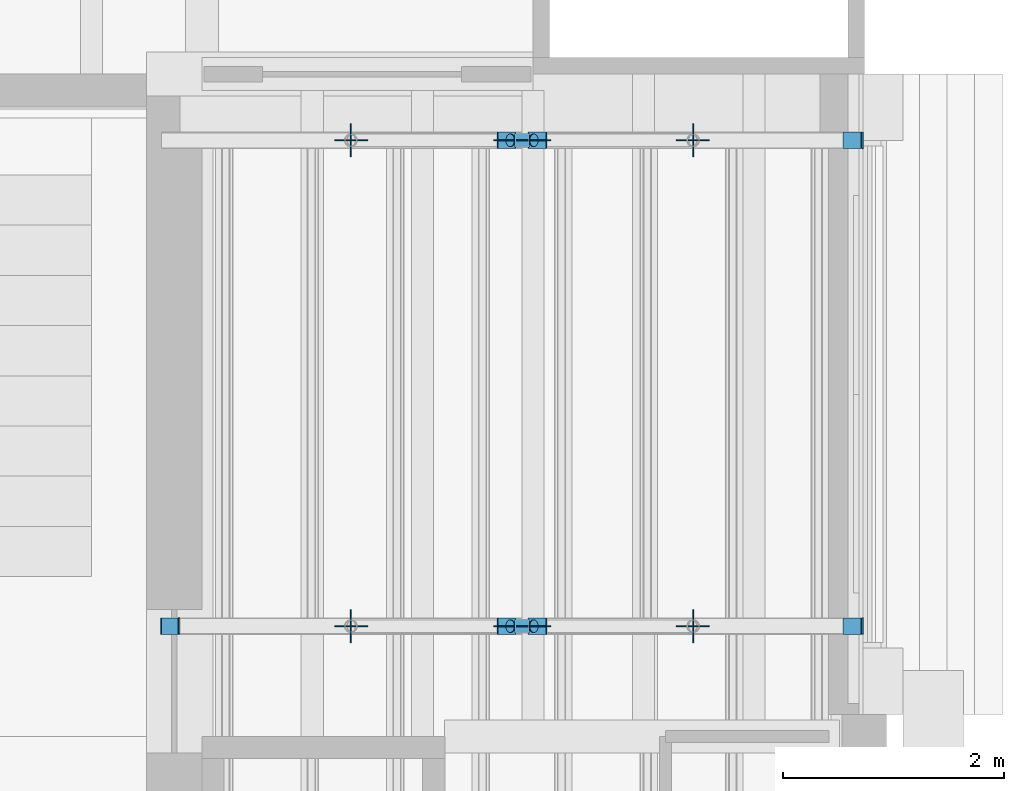
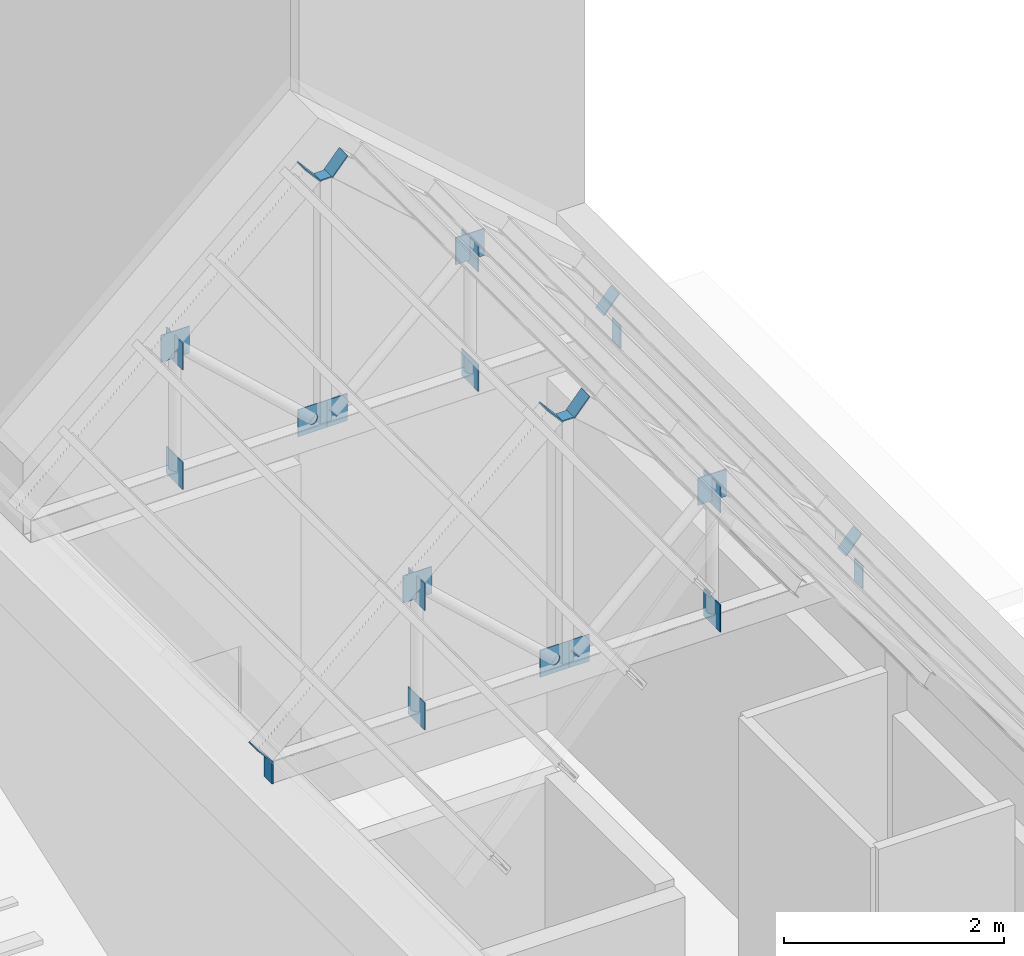
# One storey, part 106 of 118: 32 discrete accessories.
"""IFC4 building model written with IfcOpenShell, lengths in metres."""

from ifc_helpers import new_model, si_unit, direction, frame, origin, origin_2d, place, context, subcontext, project, spatial, rectangle, circle, extrude, material, material_profile, profile_set, type_object, element, save


model = new_model("IFC4")

# Units and contexts
model_context = context("Model", 3, precision=1e-05, world=origin(), true_north=direction((0.0, 1.0)))
body_context = subcontext(model_context, "Body", "Model", "MODEL_VIEW")
ifc_project = project(units=[si_unit("LENGTHUNIT", "METRE"), si_unit("AREAUNIT", "SQUARE_METRE"), si_unit("VOLUMEUNIT", "CUBIC_METRE"), si_unit("PLANEANGLEUNIT", "RADIAN"), si_unit("MASSUNIT", "GRAM", prefix="KILO")], contexts=[model_context])

# Site, building, storey
site_placement = place(None, origin())
site = spatial("IfcSite", under=ifc_project, at=site_placement, CompositionType="ELEMENT")
building_placement = place(site_placement, origin())
building = spatial("IfcBuilding", under=site, at=building_placement, Name="Saffron Lane Theatres", CompositionType="ELEMENT")
storey_placement = place(building_placement, frame((0.0, 0.0, 16.5)))
storey = spatial("IfcBuildingStorey", under=building, at=storey_placement, Name="L03", CompositionType="ELEMENT", Elevation=16.5)

# Discrete accessories
ifc_material_1 = material(Name="Steel Grade 350", Category="steel")
ifc_material_profile_1 = material_profile(ifc_material_1, rectangle(XDim=0.300048828125, YDim=0.300048828125, at=origin_2d()))
ifc_profile_set_1 = profile_set([ifc_material_profile_1], Name="Steel Grade 350")
discrete_accessory_type_1 = type_object("IfcDiscreteAccessoryType", Name="ST-GUSSET CONNECTION PLATE", PredefinedType="BRACKET", material=ifc_profile_set_1)
for number, where, z_axis, x_axis, name in (
    (1, (52.445068359375, 85.0, 4.75), (1.0, 0.0, 0.0), (0.0, 1.0, 0.0), "GB313"),
    (2, (52.445068359375, 85.0, 6.073486328125), (1.0, 0.0, 0.0), (0.0, 1.0, 0.0), "GB314"),
    (3, (49.344970703125, 85.0, 4.75), (1.0, 0.0, 0.0), (0.0, 1.0, 0.0), "GB315"),
    (4, (49.344970703125, 85.0, 6.073486328125), (1.0, 0.0, 0.0), (0.0, 1.0, 0.0), "GB316"),
):
    element("IfcDiscreteAccessory", number, at=place(storey_placement, frame(where, z_axis=z_axis, x_axis=x_axis)), inside=storey, type_object=discrete_accessory_type_1, Name=name, PredefinedType="BRACKET", context=body_context, shape_type="SweptSolid", body=[
        extrude(rectangle(XDim=0.300048828125, YDim=0.300048828125, at=origin_2d()), origin(), (0.0, 0.0, 1.0), 0.010009765625),
    ])
for number, where, z_axis, x_axis, name in (
    (5, (51.008056640625, 84.9951171875, 4.7919921875), (0.0, 1.0, 0.0), (-1.0, 0.0, 0.0), "GB317"),
    (6, (52.44580078125, 84.9951171875, 6.120361328125), (0.0, 1.0, 0.0), (-1.0, 0.0, 0.0), "GB318"),
    (7, (50.7919921875, 84.9951171875, 4.7919921875), (0.0, 1.0, 0.0), (-1.0, 0.0, 0.0), "GB319"),
    (8, (49.354248046875, 84.9951171875, 6.120361328125), (0.0, 1.0, 0.0), (-1.0, 0.0, 0.0), "GB320"),
):
    element("IfcDiscreteAccessory", number, at=place(storey_placement, frame(where, z_axis=z_axis, x_axis=x_axis)), inside=storey, type_object=discrete_accessory_type_1, Name=name, PredefinedType="BRACKET", context=body_context, shape_type="SweptSolid", body=[
        extrude(rectangle(XDim=0.300048828125, YDim=0.300048828125, at=origin_2d()), origin(), (0.0, 0.0, 1.0), 0.009765625),
    ])
for number, where, z_axis, x_axis, name in (
    (9, (52.445068359375, 89.39990234375, 4.75), (1.0, 0.0, 0.0), (0.0, 1.0, 0.0), "GB321"),
    (10, (52.445068359375, 89.39990234375, 6.073486328125), (1.0, 0.0, 0.0), (0.0, 1.0, 0.0), "GB322"),
    (11, (49.344970703125, 89.39990234375, 4.75), (1.0, 0.0, 0.0), (0.0, 1.0, 0.0), "GB323"),
    (12, (49.344970703125, 89.39990234375, 6.073486328125), (1.0, 0.0, 0.0), (0.0, 1.0, 0.0), "GB324"),
    (13, (51.008056640625, 89.39501953125, 4.7919921875), (0.0, 1.0, 0.0), (-1.0, 0.0, 0.0), "GB325"),
    (14, (52.44580078125, 89.39501953125, 6.120361328125), (0.0, 1.0, 0.0), (-1.0, 0.0, 0.0), "GB326"),
    (15, (50.7919921875, 89.39501953125, 4.7919921875), (0.0, 1.0, 0.0), (-1.0, 0.0, 0.0), "GB327"),
    (16, (49.354248046875, 89.39501953125, 6.120361328125), (0.0, 1.0, 0.0), (-1.0, 0.0, 0.0), "GB328"),
):
    element("IfcDiscreteAccessory", number, at=place(storey_placement, frame(where, z_axis=z_axis, x_axis=x_axis)), inside=storey, type_object=discrete_accessory_type_1, Name=name, PredefinedType="BRACKET", context=body_context, shape_type="SweptSolid", body=[
        extrude(rectangle(XDim=0.300048828125, YDim=0.300048828125, at=origin_2d()), origin(), (0.0, 0.0, 1.0), 0.010009765625),
    ])
ifc_material_2 = material(Name="Steel Grade 350", Category="steel")
ifc_material_profile_2 = material_profile(ifc_material_2, circle(Radius=0.05712890625, at=origin_2d()))
ifc_profile_set_2 = profile_set([ifc_material_profile_2], Name="Steel Grade 350")
discrete_accessory_type_2 = type_object("IfcDiscreteAccessoryType", Name="ST-STEEL END CAP 114.3x6.0 CHS", PredefinedType="ANCHORPLATE", material=ifc_profile_set_2)
discrete_accessory_1_placement = place(storey_placement, frame((50.9990234375, 85.0, 4.783935546875), z_axis=(0.746295434469, 0.0, 0.665614846958), x_axis=(0.0, 1.0, 0.0)))
element("IfcDiscreteAccessory", 17, at=discrete_accessory_1_placement, inside=storey, type_object=discrete_accessory_type_2, Name="EC442", PredefinedType="ANCHORPLATE", context=body_context, shape_type="SweptSolid", body=[
    extrude(circle(Radius=0.05712890625, at=origin_2d()), origin(), (0.0, 0.0, 1.0), 0.01220703125),
])
discrete_accessory_2_placement = place(storey_placement, frame((50.80078125, 85.0, 4.783935546875), z_axis=(-0.737154140201, 0.0, 0.675724628517), x_axis=(0.0, -1.0, 0.0)))
element("IfcDiscreteAccessory", 18, at=discrete_accessory_2_placement, inside=storey, type_object=discrete_accessory_type_2, Name="EC443", PredefinedType="ANCHORPLATE", context=body_context, shape_type="SweptSolid", body=[
    extrude(circle(Radius=0.05712890625, at=origin_2d()), origin(), (0.0, 0.0, 1.0), 0.011962890625),
])
discrete_accessory_3_placement = place(storey_placement, frame((50.9990234375, 89.39990234375, 4.783935546875), z_axis=(0.746295434469, 0.0, 0.665614846958), x_axis=(0.0, 1.0, 0.0)))
element("IfcDiscreteAccessory", 19, at=discrete_accessory_3_placement, inside=storey, type_object=discrete_accessory_type_2, Name="EC449", PredefinedType="ANCHORPLATE", context=body_context, shape_type="SweptSolid", body=[
    extrude(circle(Radius=0.05712890625, at=origin_2d()), origin(), (0.0, 0.0, 1.0), 0.01220703125),
])
discrete_accessory_4_placement = place(storey_placement, frame((50.80078125, 89.39990234375, 4.783935546875), z_axis=(-0.737154140201, 0.0, 0.675724628517), x_axis=(0.0, -1.0, 0.0)))
element("IfcDiscreteAccessory", 20, at=discrete_accessory_4_placement, inside=storey, type_object=discrete_accessory_type_2, Name="EC450", PredefinedType="ANCHORPLATE", context=body_context, shape_type="SweptSolid", body=[
    extrude(circle(Radius=0.05712890625, at=origin_2d()), origin(), (0.0, 0.0, 1.0), 0.011962890625),
])
ifc_material_3 = material(Name="Steel Grade 350", Category="steel")
ifc_material_profile_3 = material_profile(ifc_material_3, rectangle(XDim=0.125, YDim=0.125, at=origin_2d()))
ifc_profile_set_3 = profile_set([ifc_material_profile_3], Name="Steel Grade 350")
discrete_accessory_type_3 = type_object("IfcDiscreteAccessoryType", Name="ST-STEEL END CAP 125x125x6 SHS", PredefinedType="ANCHORPLATE", material=ifc_profile_set_3)
for number, where, z_axis, x_axis, name in (
    (21, (50.89990234375, 85.0, 7.44287109375), (0.0, 0.0, 1.0), (1.0, 0.0, 0.0), "EC441"),
    (22, (50.89990234375, 89.39990234375, 7.44287109375), (0.0, 0.0, 1.0), (1.0, 0.0, 0.0), "EC448"),
):
    element("IfcDiscreteAccessory", number, at=place(storey_placement, frame(where, z_axis=z_axis, x_axis=x_axis)), inside=storey, type_object=discrete_accessory_type_3, Name=name, PredefinedType="ANCHORPLATE", context=body_context, shape_type="SweptSolid", body=[
        extrude(rectangle(XDim=0.125, YDim=0.125, at=origin_2d()), origin(), (0.0, 0.0, 1.0), 0.01220703125),
    ])
ifc_material_4 = material(Name="Steel Grade 350", Category="steel")
ifc_material_profile_4 = material_profile(ifc_material_4, rectangle(XDim=0.14990234375, YDim=0.25, at=origin_2d()))
ifc_profile_set_4 = profile_set([ifc_material_profile_4], Name="Steel Grade 350")
discrete_accessory_type_4 = type_object("IfcDiscreteAccessoryType", Name="ST-STEEL END CAP 250x150x9 RHS", PredefinedType="ANCHORPLATE", material=ifc_profile_set_4)
for number, where, z_axis, x_axis, name in (
    (23, (53.991943359375, 85.0, 4.625), (-1.0, 0.0, 0.0), (0.0, -1.0, 0.0), "EC435"),
    (24, (47.800048828125, 85.0, 4.625), (-1.0, 0.0, 0.0), (0.0, -1.0, 0.0), "EC436"),
    (25, (53.89599609375, 85.0, 5.00927734375), (-0.756363172452, 0.0, 0.654151932932), (0.0, -1.0, 0.0), "EC437"),
    (26, (51.04541015625, 85.0, 7.53662109375), (-0.756363172452, 0.0, 0.654151932932), (0.0, -1.0, 0.0), "EC438"),
    (27, (47.7080078125, 85.0, 4.835693359375), (0.756363172452, 0.0, 0.654151932932), (0.0, 1.0, 0.0), "EC439"),
    (28, (50.754638671875, 85.0, 7.53662109375), (0.756363172452, 0.0, 0.654151932932), (0.0, 1.0, 0.0), "EC440"),
    (29, (53.991943359375, 89.39990234375, 4.625), (-1.0, 0.0, 0.0), (0.0, -1.0, 0.0), "EC444"),
    (30, (53.89599609375, 89.39990234375, 5.00927734375), (-0.756363172452, 0.0, 0.654151932932), (0.0, -1.0, 0.0), "EC445"),
    (31, (51.04541015625, 89.39990234375, 7.53662109375), (-0.756363172452, 0.0, 0.654151932932), (0.0, -1.0, 0.0), "EC446"),
    (32, (50.754638671875, 89.39990234375, 7.53662109375), (0.756363172452, 0.0, 0.654151932932), (0.0, 1.0, 0.0), "EC447"),
):
    element("IfcDiscreteAccessory", number, at=place(storey_placement, frame(where, z_axis=z_axis, x_axis=x_axis)), inside=storey, type_object=discrete_accessory_type_4, Name=name, PredefinedType="ANCHORPLATE", context=body_context, shape_type="SweptSolid", body=[
        extrude(rectangle(XDim=0.14990234375, YDim=0.25, at=origin_2d()), origin(), (0.0, 0.0, 1.0), 0.011962890625),
    ])

save(model, "model.ifc")
